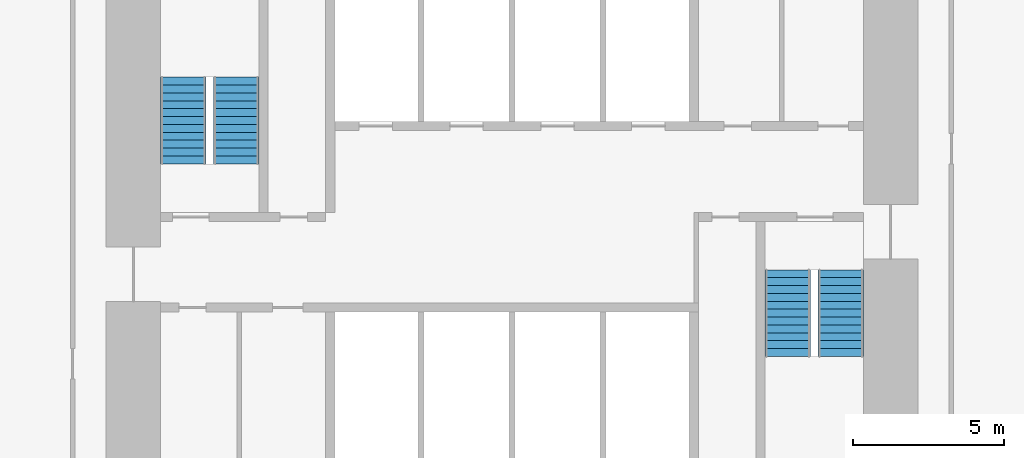
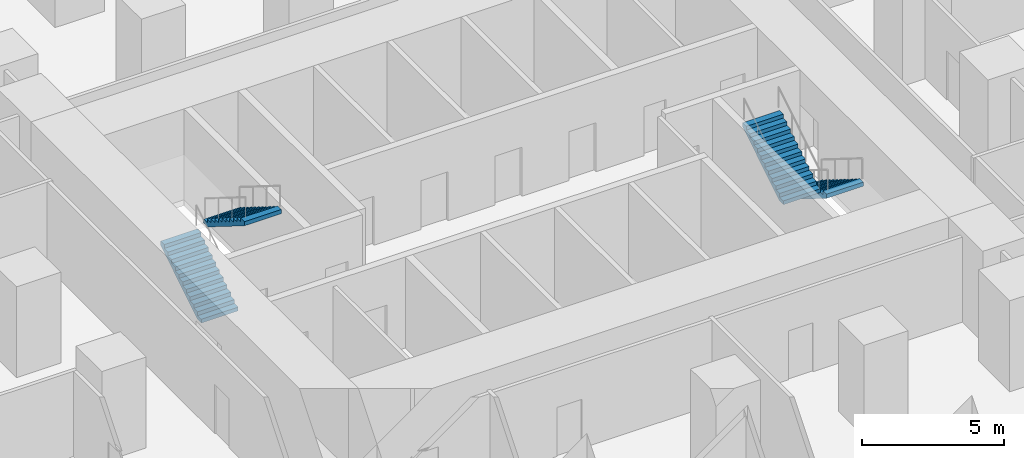
# One storey, part 12 of 13: 4 stair flights, 2 elements without a shape of their own.
"""IFC4 building model written with IfcOpenShell, lengths in metres."""

from ifc_helpers import new_model, si_unit, direction, frame, origin, place, context, subcontext, project, spatial, polyline, outline, extrude, material, type_object, element, aggregate, save


model = new_model("IFC4")

# Units and contexts
model_context = context("Model", 3, precision=1e-05, world=origin(), true_north=direction((0.0, 1.0)))
body_context = subcontext(model_context, "Body", "Model", "MODEL_VIEW")
ifc_project = project(units=[si_unit("LENGTHUNIT", "METRE"), si_unit("AREAUNIT", "SQUARE_METRE"), si_unit("VOLUMEUNIT", "CUBIC_METRE"), si_unit("PLANEANGLEUNIT", "RADIAN"), si_unit("MASSUNIT", "GRAM", prefix="KILO")], contexts=[model_context])

# Site, building, storey
site_placement = place(None, origin())
site = spatial("IfcSite", under=ifc_project, at=site_placement, CompositionType="ELEMENT")
building_placement = place(site_placement, origin())
building = spatial("IfcBuilding", under=site, at=building_placement, Name="Highveld Stack Headquarters", CompositionType="ELEMENT")
storey_placement = place(building_placement, frame((0.0, 0.0, 84.5)))
storey = spatial("IfcBuildingStorey", under=building, at=storey_placement, Name="L20", CompositionType="ELEMENT", Elevation=84.5)

# Stair, stair flights
ifc_material_1 = material(Name="Concrete C40/50, precast", Category="concrete")
stair_type_1 = type_object("IfcStairType", Name="STAIR S1 HALF TURN 1500", PredefinedType="HALF_TURN_STAIR", material=ifc_material_1)
stair_1_placement = place(storey_placement, origin())
stair_1 = element("IfcStair", 1, at=stair_1_placement, inside=storey, type_object=stair_type_1, Name="Stair S1 L20", PredefinedType="HALF_TURN_STAIR")
ifc_material_2 = material(Name="Concrete C40/50, precast", Category="concrete")
stair_flight_type = type_object("IfcStairFlightType", Name="STAIR FLIGHT 1500 PRECAST", PredefinedType="STRAIGHT", material=ifc_material_2)
stair_flight_1_placement = place(storey_placement, frame((-4.85009765625, 4.75, 0.0), z_axis=(0.0, 0.0, 1.0), x_axis=(0.0, 1.0, 0.0)))
stair_flight_1 = element("IfcStairFlight", 2, at=stair_flight_1_placement, type_object=stair_flight_type, Name="S1 flight 1", NumberOfRisers=12, NumberOfTreads=11, PredefinedType="STRAIGHT", RiserHeight=0.1625, TreadLength=0.26, context=body_context, shape_type="SweptSolid", body=[
    extrude(outline(polyline([(0.0, 0.0), (0.0, 0.16259765625), (0.260009765625, 0.16259765625), (0.260009765625, 0.324951171875), (0.52001953125, 0.324951171875), (0.52001953125, 0.487548828125), (0.780029296875, 0.487548828125), (0.780029296875, 0.64990234375), (1.0400390625, 0.64990234375), (1.0400390625, 0.8125), (1.300048828125, 0.8125), (1.300048828125, 0.97509765625), (1.56005859375, 0.97509765625), (1.56005859375, 1.137451171875), (1.820068359375, 1.137451171875), (1.820068359375, 1.300048828125), (2.080078125, 1.300048828125), (2.080078125, 1.46240234375), (2.340087890625, 1.46240234375), (2.340087890625, 1.625), (2.60009765625, 1.625), (2.60009765625, 1.78759765625), (2.860107421875, 1.78759765625), (2.860107421875, 1.949951171875), (2.860107421875, 1.61083984375), (0.28271484375, 0.0), (0.0, 0.0)])), frame((0.0, 0.75, 0.0), z_axis=(0.0, -1.0, 0.0), x_axis=(1.0, 0.0, 0.0)), (0.0, 0.0, 1.0), 1.5),
])
stair_flight_2_placement = place(storey_placement, frame((-3.10009765625, 7.610107421875, 1.949951171875), z_axis=(0.0, 0.0, 1.0), x_axis=(0.0, -1.0, 0.0)))
stair_flight_2 = element("IfcStairFlight", 3, at=stair_flight_2_placement, type_object=stair_flight_type, Name="S1 flight 2", NumberOfRisers=12, NumberOfTreads=11, PredefinedType="STRAIGHT", RiserHeight=0.1625, TreadLength=0.26, context=body_context, shape_type="SweptSolid", body=[
    extrude(outline(polyline([(0.0, 0.0), (0.0, 0.16259765625), (0.260009765625, 0.16259765625), (0.260009765625, 0.324951171875), (0.52001953125, 0.324951171875), (0.52001953125, 0.487548828125), (0.780029296875, 0.487548828125), (0.780029296875, 0.64990234375), (1.0400390625, 0.64990234375), (1.0400390625, 0.8125), (1.300048828125, 0.8125), (1.300048828125, 0.97509765625), (1.56005859375, 0.97509765625), (1.56005859375, 1.137451171875), (1.820068359375, 1.137451171875), (1.820068359375, 1.300048828125), (2.080078125, 1.300048828125), (2.080078125, 1.46240234375), (2.340087890625, 1.46240234375), (2.340087890625, 1.625), (2.60009765625, 1.625), (2.60009765625, 1.78759765625), (2.860107421875, 1.78759765625), (2.860107421875, 1.949951171875), (2.860107421875, 1.61083984375), (0.28271484375, 0.0), (0.0, 0.0)])), frame((0.0, 0.75, 0.0), z_axis=(0.0, -1.0, 0.0), x_axis=(1.0, 0.0, 0.0)), (0.0, 0.0, 1.0), 1.5),
])
aggregate(stair_1, [stair_flight_1, stair_flight_2])

ifc_material_3 = material(Name="Concrete C40/50, precast", Category="concrete")
stair_type_2 = type_object("IfcStairType", Name="STAIR S2 HALF TURN 1500", PredefinedType="HALF_TURN_STAIR", material=ifc_material_3)
stair_2_placement = place(storey_placement, origin())
stair_2 = element("IfcStair", 4, at=stair_2_placement, inside=storey, type_object=stair_type_2, Name="Stair S2 L20", PredefinedType="HALF_TURN_STAIR")
stair_flight_3_placement = place(storey_placement, frame((16.85009765625, 1.25, 0.0), z_axis=(0.0, 0.0, 1.0), x_axis=(0.0, -1.0, 0.0)))
stair_flight_3 = element("IfcStairFlight", 5, at=stair_flight_3_placement, type_object=stair_flight_type, Name="S2 flight 1", NumberOfRisers=12, NumberOfTreads=11, PredefinedType="STRAIGHT", RiserHeight=0.1625, TreadLength=0.26, context=body_context, shape_type="SweptSolid", body=[
    extrude(outline(polyline([(0.0, 0.0), (0.0, 0.16259765625), (0.260009765625, 0.16259765625), (0.260009765625, 0.324951171875), (0.52001953125, 0.324951171875), (0.52001953125, 0.487548828125), (0.780029296875, 0.487548828125), (0.780029296875, 0.64990234375), (1.0400390625, 0.64990234375), (1.0400390625, 0.8125), (1.300048828125, 0.8125), (1.300048828125, 0.97509765625), (1.56005859375, 0.97509765625), (1.56005859375, 1.137451171875), (1.820068359375, 1.137451171875), (1.820068359375, 1.300048828125), (2.080078125, 1.300048828125), (2.080078125, 1.46240234375), (2.340087890625, 1.46240234375), (2.340087890625, 1.625), (2.60009765625, 1.625), (2.60009765625, 1.78759765625), (2.860107421875, 1.78759765625), (2.860107421875, 1.949951171875), (2.860107421875, 1.61083984375), (0.28271484375, 0.0), (0.0, 0.0)])), frame((0.0, 0.75, 0.0), z_axis=(0.0, -1.0, 0.0), x_axis=(1.0, 0.0, 0.0)), (0.0, 0.0, 1.0), 1.5),
])
stair_flight_4_placement = place(storey_placement, frame((15.10009765625, -1.610107421875, 1.949951171875), z_axis=(0.0, 0.0, 1.0), x_axis=(0.0, 1.0, 0.0)))
stair_flight_4 = element("IfcStairFlight", 6, at=stair_flight_4_placement, type_object=stair_flight_type, Name="S2 flight 2", NumberOfRisers=12, NumberOfTreads=11, PredefinedType="STRAIGHT", RiserHeight=0.1625, TreadLength=0.26, context=body_context, shape_type="SweptSolid", body=[
    extrude(outline(polyline([(0.0, 0.0), (0.0, 0.16259765625), (0.260009765625, 0.16259765625), (0.260009765625, 0.324951171875), (0.52001953125, 0.324951171875), (0.52001953125, 0.487548828125), (0.780029296875, 0.487548828125), (0.780029296875, 0.64990234375), (1.0400390625, 0.64990234375), (1.0400390625, 0.8125), (1.300048828125, 0.8125), (1.300048828125, 0.97509765625), (1.56005859375, 0.97509765625), (1.56005859375, 1.137451171875), (1.820068359375, 1.137451171875), (1.820068359375, 1.300048828125), (2.080078125, 1.300048828125), (2.080078125, 1.46240234375), (2.340087890625, 1.46240234375), (2.340087890625, 1.625), (2.60009765625, 1.625), (2.60009765625, 1.78759765625), (2.860107421875, 1.78759765625), (2.860107421875, 1.949951171875), (2.860107421875, 1.61083984375), (0.28271484375, 0.0), (0.0, 0.0)])), frame((0.0, 0.75, 0.0), z_axis=(0.0, -1.0, 0.0), x_axis=(1.0, 0.0, 0.0)), (0.0, 0.0, 1.0), 1.5),
])
aggregate(stair_2, [stair_flight_3, stair_flight_4])

save(model, "model.ifc")
